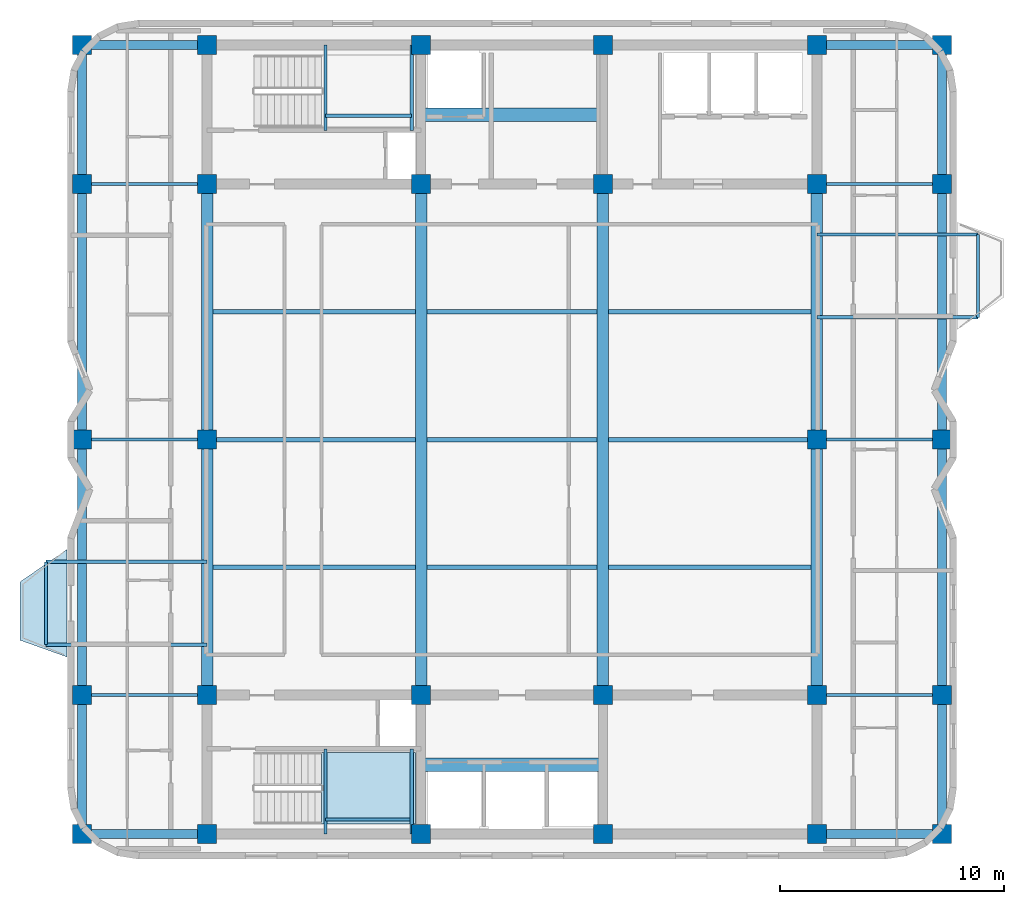
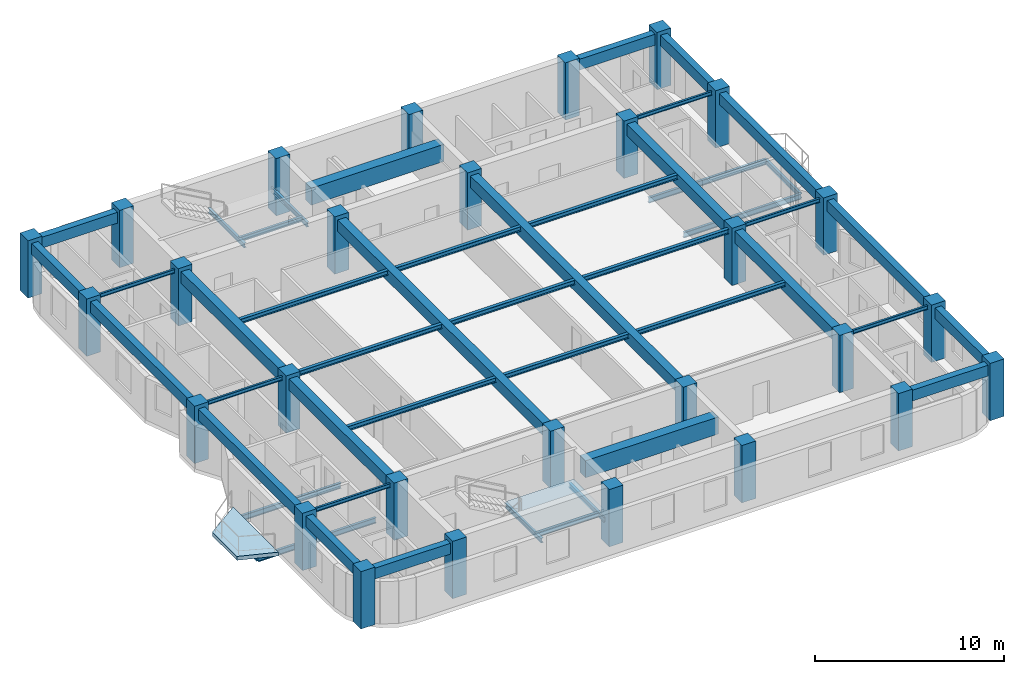
# One storey, part 1 of 8: 47 beams, 28 columns, 2 slabs, 1 element without a shape of its own.
"""IFC4 building model written with IfcOpenShell, lengths in metres."""

from ifc_helpers import new_model, si_unit, direction, frame, origin, origin_2d, place, context, subcontext, project, spatial, polyline, rectangle, i_section, outline, extrude, material, layer, layer_set, material_profile, profile_set, type_object, element, aggregate, save


model = new_model("IFC4")

# Units and contexts
model_context = context("Model", 3, precision=1e-05, world=origin(), true_north=direction((0.0, 1.0)))
body_context = subcontext(model_context, "Body", "Model", "MODEL_VIEW")
ifc_project = project(units=[si_unit("LENGTHUNIT", "METRE"), si_unit("AREAUNIT", "SQUARE_METRE"), si_unit("VOLUMEUNIT", "CUBIC_METRE"), si_unit("PLANEANGLEUNIT", "RADIAN"), si_unit("MASSUNIT", "GRAM", prefix="KILO")], contexts=[model_context])

# Site, building, storey
site_placement = place(None, origin())
site = spatial("IfcSite", under=ifc_project, at=site_placement, CompositionType="ELEMENT")
building_placement = place(site_placement, origin())
building = spatial("IfcBuilding", under=site, at=building_placement, Name="Svetorya Sky Lyceum", CompositionType="ELEMENT")
storey_placement = place(building_placement, frame((0.0, 0.0, 229.5)))
storey = spatial("IfcBuildingStorey", under=building, at=storey_placement, Name="L57", CompositionType="ELEMENT", Elevation=229.5)

# Columns
ifc_material_1 = material(Name="Concrete C50/60", Category="concrete")
ifc_material_profile_1 = material_profile(ifc_material_1, rectangle(XDim=0.85009765625, YDim=0.85009765625, at=origin_2d()), Name="RC COL 850x850")
ifc_profile_set_1 = profile_set([ifc_material_profile_1], Name="Concrete C50/60")
column_type = type_object("IfcColumnType", Name="COL-RC-850", PredefinedType="COLUMN", material=ifc_profile_set_1)
for number, where, z_axis, x_axis, name in (
    (1, (25.60009765625, 10.60009765625, 0.0), (0.0, 0.0, 1.0), (1.0, 0.0, 0.0), "L57 Core Column CS-11"),
    (2, (25.60009765625, 16.800048828125, 0.0), (0.0, 0.0, 1.0), (1.0, 0.0, 0.0), "L57 Core Column CS-12"),
    (3, (35.14990234375, 10.60009765625, 0.0), (0.0, 0.0, 1.0), (1.0, 0.0, 0.0), "L57 Core Column CS-21"),
    (4, (35.14990234375, 16.800048828125, 0.0), (0.0, 0.0, 1.0), (1.0, 0.0, 0.0), "L57 Core Column CS-22"),
    (5, (43.25, 10.60009765625, 0.0), (0.0, 0.0, 1.0), (1.0, 0.0, 0.0), "L57 Core Column CS-31"),
    (6, (43.25, 16.800048828125, 0.0), (0.0, 0.0, 1.0), (1.0, 0.0, 0.0), "L57 Core Column CS-32"),
    (7, (52.800048828125, 10.60009765625, 0.0), (0.0, 0.0, 1.0), (1.0, 0.0, 0.0), "L57 Core Column CS-41"),
    (8, (52.800048828125, 16.800048828125, 0.0), (0.0, 0.0, 1.0), (1.0, 0.0, 0.0), "L57 Core Column CS-42"),
    (9, (25.60009765625, 39.60009765625, 0.0), (0.0, 0.0, 1.0), (1.0, 0.0, 0.0), "L57 Core Column CN-11"),
    (10, (25.60009765625, 45.800048828125, 0.0), (0.0, 0.0, 1.0), (1.0, 0.0, 0.0), "L57 Core Column CN-12"),
    (11, (35.14990234375, 39.60009765625, 0.0), (0.0, 0.0, 1.0), (1.0, 0.0, 0.0), "L57 Core Column CN-21"),
    (12, (35.14990234375, 45.800048828125, 0.0), (0.0, 0.0, 1.0), (1.0, 0.0, 0.0), "L57 Core Column CN-22"),
    (13, (43.25, 39.60009765625, 0.0), (0.0, 0.0, 1.0), (1.0, 0.0, 0.0), "L57 Core Column CN-31"),
    (14, (43.25, 45.800048828125, 0.0), (0.0, 0.0, 1.0), (1.0, 0.0, 0.0), "L57 Core Column CN-32"),
    (15, (52.800048828125, 39.60009765625, 0.0), (0.0, 0.0, 1.0), (1.0, 0.0, 0.0), "L57 Core Column CN-41"),
    (16, (52.800048828125, 45.800048828125, 0.0), (0.0, 0.0, 1.0), (1.0, 0.0, 0.0), "L57 Core Column CN-42"),
    (17, (25.60009765625, 28.199951171875, 0.0), (0.0, 0.0, 1.0), (1.0, 0.0, 0.0), "L57 Core Column CM-W"),
    (18, (52.800048828125, 28.199951171875, 0.0), (0.0, 0.0, 1.0), (1.0, 0.0, 0.0), "L57 Core Column CM-E"),
    (19, (20.010009765625, 10.60009765625, 0.0), (0.0, 0.0, 1.0), (1.0, 0.0, 0.0), "L57 Perimeter Column W1"),
    (20, (58.389892578125, 10.60009765625, 0.0), (0.0, 0.0, 1.0), (1.0, 0.0, 0.0), "L57 Perimeter Column E1"),
    (21, (20.010009765625, 16.800048828125, 0.0), (0.0, 0.0, 1.0), (1.0, 0.0, 0.0), "L57 Perimeter Column W2"),
    (22, (58.389892578125, 16.800048828125, 0.0), (0.0, 0.0, 1.0), (1.0, 0.0, 0.0), "L57 Perimeter Column E2"),
    (23, (20.010009765625, 28.199951171875, 0.0), (0.0, 0.0, 1.0), (1.0, 0.0, 0.0), "L57 Perimeter Column W3"),
    (24, (58.389892578125, 28.199951171875, 0.0), (0.0, 0.0, 1.0), (1.0, 0.0, 0.0), "L57 Perimeter Column E3"),
    (25, (20.010009765625, 39.60009765625, 0.0), (0.0, 0.0, 1.0), (1.0, 0.0, 0.0), "L57 Perimeter Column W4"),
    (26, (58.389892578125, 39.60009765625, 0.0), (0.0, 0.0, 1.0), (1.0, 0.0, 0.0), "L57 Perimeter Column E4"),
    (27, (20.010009765625, 45.800048828125, 0.0), (0.0, 0.0, 1.0), (1.0, 0.0, 0.0), "L57 Perimeter Column W5"),
    (28, (58.389892578125, 45.800048828125, 0.0), (0.0, 0.0, 1.0), (1.0, 0.0, 0.0), "L57 Perimeter Column E5"),
):
    element("IfcColumn", number, at=place(storey_placement, frame(where, z_axis=z_axis, x_axis=x_axis)), inside=storey, type_object=column_type, Name=name, PredefinedType="COLUMN", context=body_context, shape_type="SweptSolid", body=[
        extrude(rectangle(XDim=0.85009765625, YDim=0.85009765625, at=origin_2d()), origin(), (0.0, 0.0, 1.0), 3.699951171875),
    ])

# Beams
ifc_material_2 = material(Name="Concrete C60/75", Category="concrete")
ifc_material_profile_2 = material_profile(ifc_material_2, rectangle(XDim=0.60009765625, YDim=1.10009765625, at=origin_2d()), Name="RC COUPLING 600x1100")
ifc_profile_set_2 = profile_set([ifc_material_profile_2], Name="Concrete C60/75")
beam_type_1 = type_object("IfcBeamType", Name="BM-CPL-1100", PredefinedType="LINTEL", material=ifc_profile_set_2)
for number, where, z_axis, x_axis, name in (
    (29, (35.14990234375, 13.699951171875, 2.89990234375), (1.0, 0.0, 0.0), (0.0, 1.0, 0.0), "L57 SC Core Coupling Beam"),
    (30, (35.14990234375, 42.699951171875, 2.89990234375), (1.0, 0.0, 0.0), (0.0, 1.0, 0.0), "L57 NC Core Coupling Beam"),
):
    element("IfcBeam", number, at=place(storey_placement, frame(where, z_axis=z_axis, x_axis=x_axis)), inside=storey, type_object=beam_type_1, Name=name, PredefinedType="LINTEL", context=body_context, shape_type="SweptSolid", body=[
        extrude(rectangle(XDim=0.60009765625, YDim=1.10009765625, at=origin_2d()), origin(), (0.0, 0.0, 1.0), 8.10009765625),
    ])
ifc_material_profile_3 = material_profile(ifc_material_1, rectangle(XDim=0.5, YDim=0.75, at=origin_2d()), Name="RC BEAM 500x750")
ifc_profile_set_3 = profile_set([ifc_material_profile_3], Name="Concrete C50/60")
beam_type_2 = type_object("IfcBeamType", Name="BM-RC-750", PredefinedType="BEAM", material=ifc_profile_set_3)
beam_1_placement = place(storey_placement, frame((25.60009765625, 16.800048828125, 3.074951171875), z_axis=(0.0, 1.0, 0.0), x_axis=(-1.0, 0.0, 0.0)))
element("IfcBeam", 31, at=beam_1_placement, inside=storey, type_object=beam_type_2, Name="L57 Central Bay Primary Girder CG-1A", PredefinedType="BEAM", context=body_context, shape_type="SweptSolid", body=[
    extrude(rectangle(XDim=0.5, YDim=0.75, at=origin_2d()), origin(), (0.0, 0.0, 1.0), 11.39990234375),
])
beam_2_placement = place(storey_placement, frame((25.60009765625, 28.199951171875, 3.074951171875), z_axis=(0.0, 1.0, 0.0), x_axis=(-1.0, 0.0, 0.0)))
element("IfcBeam", 32, at=beam_2_placement, inside=storey, type_object=beam_type_2, Name="L57 Central Bay Primary Girder CG-1B", PredefinedType="BEAM", context=body_context, shape_type="SweptSolid", body=[
    extrude(rectangle(XDim=0.5, YDim=0.75, at=origin_2d()), origin(), (0.0, 0.0, 1.0), 11.400146484375),
])
for number, where, z_axis, x_axis, name in (
    (33, (35.14990234375, 16.800048828125, 3.074951171875), (0.0, 1.0, 0.0), (-1.0, 0.0, 0.0), "L57 Central Bay Primary Girder CG-2"),
    (34, (43.25, 16.800048828125, 3.074951171875), (0.0, 1.0, 0.0), (-1.0, 0.0, 0.0), "L57 Central Bay Primary Girder CG-3"),
):
    element("IfcBeam", number, at=place(storey_placement, frame(where, z_axis=z_axis, x_axis=x_axis)), inside=storey, type_object=beam_type_2, Name=name, PredefinedType="BEAM", context=body_context, shape_type="SweptSolid", body=[
        extrude(rectangle(XDim=0.5, YDim=0.75, at=origin_2d()), origin(), (0.0, 0.0, 1.0), 22.800048828125),
    ])
beam_3_placement = place(storey_placement, frame((52.800048828125, 16.800048828125, 3.074951171875), z_axis=(0.0, 1.0, 0.0), x_axis=(-1.0, 0.0, 0.0)))
element("IfcBeam", 35, at=beam_3_placement, inside=storey, type_object=beam_type_2, Name="L57 Central Bay Primary Girder CG-4A", PredefinedType="BEAM", context=body_context, shape_type="SweptSolid", body=[
    extrude(rectangle(XDim=0.5, YDim=0.75, at=origin_2d()), origin(), (0.0, 0.0, 1.0), 11.39990234375),
])
beam_4_placement = place(storey_placement, frame((52.800048828125, 28.199951171875, 3.074951171875), z_axis=(0.0, 1.0, 0.0), x_axis=(-1.0, 0.0, 0.0)))
element("IfcBeam", 36, at=beam_4_placement, inside=storey, type_object=beam_type_2, Name="L57 Central Bay Primary Girder CG-4B", PredefinedType="BEAM", context=body_context, shape_type="SweptSolid", body=[
    extrude(rectangle(XDim=0.5, YDim=0.75, at=origin_2d()), origin(), (0.0, 0.0, 1.0), 11.400146484375),
])
ifc_material_profile_4 = material_profile(ifc_material_1, rectangle(XDim=0.39990234375, YDim=0.699951171875, at=origin_2d()), Name="RC SPANDREL 400x700")
ifc_profile_set_4 = profile_set([ifc_material_profile_4], Name="Concrete C50/60")
beam_type_3 = type_object("IfcBeamType", Name="BM-SPN-700", PredefinedType="SPANDREL", material=ifc_profile_set_4)
for number, where, z_axis, x_axis, name in (
    (37, (20.010009765625, 10.60009765625, 3.10009765625), (1.0, 0.0, 0.0), (0.0, 1.0, 0.0), "L57 Tie Spandrel SW"),
    (38, (20.010009765625, 45.800048828125, 3.10009765625), (1.0, 0.0, 0.0), (0.0, 1.0, 0.0), "L57 Tie Spandrel NW"),
):
    element("IfcBeam", number, at=place(storey_placement, frame(where, z_axis=z_axis, x_axis=x_axis)), inside=storey, type_object=beam_type_3, Name=name, PredefinedType="SPANDREL", context=body_context, shape_type="SweptSolid", body=[
        extrude(rectangle(XDim=0.39990234375, YDim=0.699951171875, at=origin_2d()), origin(), (0.0, 0.0, 1.0), 5.590087890625),
    ])
for number, where, z_axis, x_axis, name in (
    (39, (52.800048828125, 10.60009765625, 3.10009765625), (1.0, 0.0, 0.0), (0.0, 1.0, 0.0), "L57 Tie Spandrel SE"),
    (40, (52.800048828125, 45.800048828125, 3.10009765625), (1.0, 0.0, 0.0), (0.0, 1.0, 0.0), "L57 Tie Spandrel NE"),
):
    element("IfcBeam", number, at=place(storey_placement, frame(where, z_axis=z_axis, x_axis=x_axis)), inside=storey, type_object=beam_type_3, Name=name, PredefinedType="SPANDREL", context=body_context, shape_type="SweptSolid", body=[
        extrude(rectangle(XDim=0.39990234375, YDim=0.699951171875, at=origin_2d()), origin(), (0.0, 0.0, 1.0), 5.58984375),
    ])
beam_5_placement = place(storey_placement, frame((20.010009765625, 10.60009765625, 3.10009765625), z_axis=(0.0, 1.0, 0.0), x_axis=(-1.0, 0.0, 0.0)))
element("IfcBeam", 41, at=beam_5_placement, inside=storey, type_object=beam_type_3, Name="L57 West Spandrel 1", PredefinedType="SPANDREL", context=body_context, shape_type="SweptSolid", body=[
    extrude(rectangle(XDim=0.39990234375, YDim=0.699951171875, at=origin_2d()), origin(), (0.0, 0.0, 1.0), 6.199951171875),
])
beam_6_placement = place(storey_placement, frame((20.010009765625, 16.800048828125, 3.10009765625), z_axis=(0.0, 1.0, 0.0), x_axis=(-1.0, 0.0, 0.0)))
element("IfcBeam", 42, at=beam_6_placement, inside=storey, type_object=beam_type_3, Name="L57 West Spandrel 2", PredefinedType="SPANDREL", context=body_context, shape_type="SweptSolid", body=[
    extrude(rectangle(XDim=0.39990234375, YDim=0.699951171875, at=origin_2d()), origin(), (0.0, 0.0, 1.0), 11.39990234375),
])
beam_7_placement = place(storey_placement, frame((20.010009765625, 28.199951171875, 3.10009765625), z_axis=(0.0, 1.0, 0.0), x_axis=(-1.0, 0.0, 0.0)))
element("IfcBeam", 43, at=beam_7_placement, inside=storey, type_object=beam_type_3, Name="L57 West Spandrel 3", PredefinedType="SPANDREL", context=body_context, shape_type="SweptSolid", body=[
    extrude(rectangle(XDim=0.39990234375, YDim=0.699951171875, at=origin_2d()), origin(), (0.0, 0.0, 1.0), 11.400146484375),
])
for number, where, z_axis, x_axis, name in (
    (44, (20.010009765625, 39.60009765625, 3.10009765625), (0.0, 1.0, 0.0), (-1.0, 0.0, 0.0), "L57 West Spandrel 4"),
    (45, (58.389892578125, 10.60009765625, 3.10009765625), (0.0, 1.0, 0.0), (-1.0, 0.0, 0.0), "L57 East Spandrel 1"),
):
    element("IfcBeam", number, at=place(storey_placement, frame(where, z_axis=z_axis, x_axis=x_axis)), inside=storey, type_object=beam_type_3, Name=name, PredefinedType="SPANDREL", context=body_context, shape_type="SweptSolid", body=[
        extrude(rectangle(XDim=0.39990234375, YDim=0.699951171875, at=origin_2d()), origin(), (0.0, 0.0, 1.0), 6.199951171875),
    ])
beam_8_placement = place(storey_placement, frame((58.389892578125, 16.800048828125, 3.10009765625), z_axis=(0.0, 1.0, 0.0), x_axis=(-1.0, 0.0, 0.0)))
element("IfcBeam", 46, at=beam_8_placement, inside=storey, type_object=beam_type_3, Name="L57 East Spandrel 2", PredefinedType="SPANDREL", context=body_context, shape_type="SweptSolid", body=[
    extrude(rectangle(XDim=0.39990234375, YDim=0.699951171875, at=origin_2d()), origin(), (0.0, 0.0, 1.0), 11.39990234375),
])
beam_9_placement = place(storey_placement, frame((58.389892578125, 28.199951171875, 3.10009765625), z_axis=(0.0, 1.0, 0.0), x_axis=(-1.0, 0.0, 0.0)))
element("IfcBeam", 47, at=beam_9_placement, inside=storey, type_object=beam_type_3, Name="L57 East Spandrel 3", PredefinedType="SPANDREL", context=body_context, shape_type="SweptSolid", body=[
    extrude(rectangle(XDim=0.39990234375, YDim=0.699951171875, at=origin_2d()), origin(), (0.0, 0.0, 1.0), 11.400146484375),
])
beam_10_placement = place(storey_placement, frame((58.389892578125, 39.60009765625, 3.10009765625), z_axis=(0.0, 1.0, 0.0), x_axis=(-1.0, 0.0, 0.0)))
element("IfcBeam", 48, at=beam_10_placement, inside=storey, type_object=beam_type_3, Name="L57 East Spandrel 4", PredefinedType="SPANDREL", context=body_context, shape_type="SweptSolid", body=[
    extrude(rectangle(XDim=0.39990234375, YDim=0.699951171875, at=origin_2d()), origin(), (0.0, 0.0, 1.0), 6.199951171875),
])
ifc_material_3 = material(Name="Steel S355", Category="steel")
ifc_material_profile_5 = material_profile(ifc_material_3, i_section(OverallWidth=0.1240234375, OverallDepth=0.248046875, WebThickness=0.006103515625, FlangeThickness=0.009521484375, at=origin_2d()), Name="GOST 25B2")
ifc_profile_set_5 = profile_set([ifc_material_profile_5], Name="Steel S355")
beam_type_4 = type_object("IfcBeamType", Name="BM-STL-25B2", PredefinedType="JOIST", material=ifc_profile_set_5)
beam_11_placement = place(storey_placement, frame((20.010009765625, 16.800048828125, 3.325927734375), z_axis=(1.0, 0.0, 0.0), x_axis=(0.0, 1.0, 0.0)))
element("IfcBeam", 49, at=beam_11_placement, inside=storey, type_object=beam_type_4, Name="L57 West Wing Floor Joist W2", PredefinedType="JOIST", context=body_context, shape_type="SweptSolid", body=[
    extrude(i_section(OverallWidth=0.1240234375, OverallDepth=0.248046875, WebThickness=0.006103515625, FlangeThickness=0.009521484375, at=origin_2d()), origin(), (0.0, 0.0, 1.0), 5.590087890625),
])
beam_12_placement = place(storey_placement, frame((52.800048828125, 16.800048828125, 3.325927734375), z_axis=(1.0, 0.0, 0.0), x_axis=(0.0, 1.0, 0.0)))
element("IfcBeam", 50, at=beam_12_placement, inside=storey, type_object=beam_type_4, Name="L57 East Wing Floor Joist E2", PredefinedType="JOIST", context=body_context, shape_type="SweptSolid", body=[
    extrude(i_section(OverallWidth=0.1240234375, OverallDepth=0.248046875, WebThickness=0.006103515625, FlangeThickness=0.009521484375, at=origin_2d()), origin(), (0.0, 0.0, 1.0), 5.58984375),
])
beam_13_placement = place(storey_placement, frame((20.010009765625, 28.199951171875, 3.325927734375), z_axis=(1.0, 0.0, 0.0), x_axis=(0.0, 1.0, 0.0)))
element("IfcBeam", 51, at=beam_13_placement, inside=storey, type_object=beam_type_4, Name="L57 West Wing Floor Joist W3", PredefinedType="JOIST", context=body_context, shape_type="SweptSolid", body=[
    extrude(i_section(OverallWidth=0.1240234375, OverallDepth=0.248046875, WebThickness=0.006103515625, FlangeThickness=0.009521484375, at=origin_2d()), origin(), (0.0, 0.0, 1.0), 5.590087890625),
])
beam_14_placement = place(storey_placement, frame((52.800048828125, 28.199951171875, 3.325927734375), z_axis=(1.0, 0.0, 0.0), x_axis=(0.0, 1.0, 0.0)))
element("IfcBeam", 52, at=beam_14_placement, inside=storey, type_object=beam_type_4, Name="L57 East Wing Floor Joist E3", PredefinedType="JOIST", context=body_context, shape_type="SweptSolid", body=[
    extrude(i_section(OverallWidth=0.1240234375, OverallDepth=0.248046875, WebThickness=0.006103515625, FlangeThickness=0.009521484375, at=origin_2d()), origin(), (0.0, 0.0, 1.0), 5.58984375),
])
beam_15_placement = place(storey_placement, frame((20.010009765625, 39.60009765625, 3.325927734375), z_axis=(1.0, 0.0, 0.0), x_axis=(0.0, 1.0, 0.0)))
element("IfcBeam", 53, at=beam_15_placement, inside=storey, type_object=beam_type_4, Name="L57 West Wing Floor Joist W4", PredefinedType="JOIST", context=body_context, shape_type="SweptSolid", body=[
    extrude(i_section(OverallWidth=0.1240234375, OverallDepth=0.248046875, WebThickness=0.006103515625, FlangeThickness=0.009521484375, at=origin_2d()), origin(), (0.0, 0.0, 1.0), 5.590087890625),
])
beam_16_placement = place(storey_placement, frame((52.800048828125, 39.60009765625, 3.325927734375), z_axis=(1.0, 0.0, 0.0), x_axis=(0.0, 1.0, 0.0)))
element("IfcBeam", 54, at=beam_16_placement, inside=storey, type_object=beam_type_4, Name="L57 East Wing Floor Joist E4", PredefinedType="JOIST", context=body_context, shape_type="SweptSolid", body=[
    extrude(i_section(OverallWidth=0.1240234375, OverallDepth=0.248046875, WebThickness=0.006103515625, FlangeThickness=0.009521484375, at=origin_2d()), origin(), (0.0, 0.0, 1.0), 5.58984375),
])
ifc_material_profile_6 = material_profile(ifc_material_3, i_section(OverallWidth=0.14990234375, OverallDepth=0.299072265625, WebThickness=0.006591796875, FlangeThickness=0.010498046875, at=origin_2d()), Name="GOST 30B2")
ifc_profile_set_6 = profile_set([ifc_material_profile_6], Name="Steel S355")
beam_type_5 = type_object("IfcBeamType", Name="BM-STL-30B2", PredefinedType="JOIST", material=ifc_profile_set_6)
beam_17_placement = place(storey_placement, frame((18.409912109375, 19.050048828125, -0.424560546875), z_axis=(0.0, 1.0, 0.0), x_axis=(-1.0, 0.0, 0.0)))
element("IfcBeam", 55, at=beam_17_placement, inside=storey, type_object=beam_type_5, Name="L57 Balcony Edge Tie BAL-W1", PredefinedType="JOIST", context=body_context, shape_type="SweptSolid", body=[
    extrude(i_section(OverallWidth=0.14990234375, OverallDepth=0.299072265625, WebThickness=0.006591796875, FlangeThickness=0.010498046875, at=origin_2d()), origin(), (0.0, 0.0, 1.0), 3.699951171875),
])
beam_18_placement = place(storey_placement, frame((59.989990234375, 33.64990234375, -0.424560546875), z_axis=(0.0, 1.0, 0.0), x_axis=(-1.0, 0.0, 0.0)))
element("IfcBeam", 56, at=beam_18_placement, inside=storey, type_object=beam_type_5, Name="L57 Balcony Edge Tie BAL-E1", PredefinedType="JOIST", context=body_context, shape_type="SweptSolid", body=[
    extrude(i_section(OverallWidth=0.14990234375, OverallDepth=0.299072265625, WebThickness=0.006591796875, FlangeThickness=0.010498046875, at=origin_2d()), origin(), (0.0, 0.0, 1.0), 3.7001953125),
])
for number, where, z_axis, x_axis, name in (
    (57, (30.8798828125, 10.60009765625, 1.50048828125), (0.0, 1.0, 0.0), (-1.0, 0.0, 0.0), "L57 Stair ST-S Half-Landing Support Beam 65.1"),
    (58, (34.719970703125, 10.60009765625, 1.50048828125), (0.0, 1.0, 0.0), (-1.0, 0.0, 0.0), "L57 Stair ST-S Half-Landing Support Beam 65.2"),
):
    element("IfcBeam", number, at=place(storey_placement, frame(where, z_axis=z_axis, x_axis=x_axis)), inside=storey, type_object=beam_type_5, Name=name, PredefinedType="JOIST", context=body_context, shape_type="SweptSolid", body=[
        extrude(i_section(OverallWidth=0.14990234375, OverallDepth=0.299072265625, WebThickness=0.006591796875, FlangeThickness=0.010498046875, at=origin_2d()), origin(), (0.0, 0.0, 1.0), 3.7998046875),
    ])
beam_19_placement = place(storey_placement, frame((30.8798828125, 11.25, 1.50048828125), z_axis=(1.0, 0.0, 0.0), x_axis=(0.0, 1.0, 0.0)))
element("IfcBeam", 59, at=beam_19_placement, inside=storey, type_object=beam_type_5, Name="L57 Stair ST-S Half-Landing Cross Tie 65", PredefinedType="JOIST", context=body_context, shape_type="SweptSolid", body=[
    extrude(i_section(OverallWidth=0.14990234375, OverallDepth=0.299072265625, WebThickness=0.006591796875, FlangeThickness=0.010498046875, at=origin_2d()), origin(), (0.0, 0.0, 1.0), 3.840087890625),
])
for number, where, z_axis, x_axis, name in (
    (60, (30.8798828125, 42.0, 1.50048828125), (0.0, 1.0, 0.0), (-1.0, 0.0, 0.0), "L57 Stair ST-N Half-Landing Support Beam 65.1"),
    (61, (34.719970703125, 42.0, 1.50048828125), (0.0, 1.0, 0.0), (-1.0, 0.0, 0.0), "L57 Stair ST-N Half-Landing Support Beam 65.2"),
):
    element("IfcBeam", number, at=place(storey_placement, frame(where, z_axis=z_axis, x_axis=x_axis)), inside=storey, type_object=beam_type_5, Name=name, PredefinedType="JOIST", context=body_context, shape_type="SweptSolid", body=[
        extrude(i_section(OverallWidth=0.14990234375, OverallDepth=0.299072265625, WebThickness=0.006591796875, FlangeThickness=0.010498046875, at=origin_2d()), origin(), (0.0, 0.0, 1.0), 3.800048828125),
    ])
beam_20_placement = place(storey_placement, frame((30.8798828125, 42.64990234375, 1.50048828125), z_axis=(1.0, 0.0, 0.0), x_axis=(0.0, 1.0, 0.0)))
element("IfcBeam", 62, at=beam_20_placement, inside=storey, type_object=beam_type_5, Name="L57 Stair ST-N Half-Landing Cross Tie 65", PredefinedType="JOIST", context=body_context, shape_type="SweptSolid", body=[
    extrude(i_section(OverallWidth=0.14990234375, OverallDepth=0.299072265625, WebThickness=0.006591796875, FlangeThickness=0.010498046875, at=origin_2d()), origin(), (0.0, 0.0, 1.0), 3.840087890625),
])
ifc_material_profile_7 = material_profile(ifc_material_3, i_section(OverallWidth=0.199951171875, OverallDepth=0.298095703125, WebThickness=0.008544921875, FlangeThickness=0.012939453125, at=origin_2d()), Name="GOST 30Sh2")
ifc_profile_set_7 = profile_set([ifc_material_profile_7], Name="Steel S355")
beam_type_6 = type_object("IfcBeamType", Name="BM-STL-30SH2", PredefinedType="BEAM", material=ifc_profile_set_7)
beam_21_placement = place(storey_placement, frame((25.85009765625, 22.5, 3.301025390625), z_axis=(1.0, 0.0, 0.0), x_axis=(0.0, 1.0, 0.0)))
element("IfcBeam", 63, at=beam_21_placement, inside=storey, type_object=beam_type_6, Name="L57 Central Floor Joist CJ-1.1", PredefinedType="BEAM", context=body_context, shape_type="SweptSolid", body=[
    extrude(i_section(OverallWidth=0.199951171875, OverallDepth=0.298095703125, WebThickness=0.008544921875, FlangeThickness=0.012939453125, at=origin_2d()), origin(), (0.0, 0.0, 1.0), 9.0498046875),
])
beam_22_placement = place(storey_placement, frame((35.39990234375, 22.5, 3.301025390625), z_axis=(1.0, 0.0, 0.0), x_axis=(0.0, 1.0, 0.0)))
element("IfcBeam", 64, at=beam_22_placement, inside=storey, type_object=beam_type_6, Name="L57 Central Floor Joist CJ-1.2", PredefinedType="BEAM", context=body_context, shape_type="SweptSolid", body=[
    extrude(i_section(OverallWidth=0.199951171875, OverallDepth=0.298095703125, WebThickness=0.008544921875, FlangeThickness=0.012939453125, at=origin_2d()), origin(), (0.0, 0.0, 1.0), 7.60009765625),
])
beam_23_placement = place(storey_placement, frame((43.5, 22.5, 3.301025390625), z_axis=(1.0, 0.0, 0.0), x_axis=(0.0, 1.0, 0.0)))
element("IfcBeam", 65, at=beam_23_placement, inside=storey, type_object=beam_type_6, Name="L57 Central Floor Joist CJ-1.3", PredefinedType="BEAM", context=body_context, shape_type="SweptSolid", body=[
    extrude(i_section(OverallWidth=0.199951171875, OverallDepth=0.298095703125, WebThickness=0.008544921875, FlangeThickness=0.012939453125, at=origin_2d()), origin(), (0.0, 0.0, 1.0), 9.050048828125),
])
beam_24_placement = place(storey_placement, frame((25.85009765625, 28.199951171875, 3.301025390625), z_axis=(1.0, 0.0, 0.0), x_axis=(0.0, 1.0, 0.0)))
element("IfcBeam", 66, at=beam_24_placement, inside=storey, type_object=beam_type_6, Name="L57 Central Floor Joist CJ-2.1", PredefinedType="BEAM", context=body_context, shape_type="SweptSolid", body=[
    extrude(i_section(OverallWidth=0.199951171875, OverallDepth=0.298095703125, WebThickness=0.008544921875, FlangeThickness=0.012939453125, at=origin_2d()), origin(), (0.0, 0.0, 1.0), 9.0498046875),
])
beam_25_placement = place(storey_placement, frame((35.39990234375, 28.199951171875, 3.301025390625), z_axis=(1.0, 0.0, 0.0), x_axis=(0.0, 1.0, 0.0)))
element("IfcBeam", 67, at=beam_25_placement, inside=storey, type_object=beam_type_6, Name="L57 Central Floor Joist CJ-2.2", PredefinedType="BEAM", context=body_context, shape_type="SweptSolid", body=[
    extrude(i_section(OverallWidth=0.199951171875, OverallDepth=0.298095703125, WebThickness=0.008544921875, FlangeThickness=0.012939453125, at=origin_2d()), origin(), (0.0, 0.0, 1.0), 7.60009765625),
])
beam_26_placement = place(storey_placement, frame((43.5, 28.199951171875, 3.301025390625), z_axis=(1.0, 0.0, 0.0), x_axis=(0.0, 1.0, 0.0)))
element("IfcBeam", 68, at=beam_26_placement, inside=storey, type_object=beam_type_6, Name="L57 Central Floor Joist CJ-2.3", PredefinedType="BEAM", context=body_context, shape_type="SweptSolid", body=[
    extrude(i_section(OverallWidth=0.199951171875, OverallDepth=0.298095703125, WebThickness=0.008544921875, FlangeThickness=0.012939453125, at=origin_2d()), origin(), (0.0, 0.0, 1.0), 9.050048828125),
])
beam_27_placement = place(storey_placement, frame((25.85009765625, 33.89990234375, 3.301025390625), z_axis=(1.0, 0.0, 0.0), x_axis=(0.0, 1.0, 0.0)))
element("IfcBeam", 69, at=beam_27_placement, inside=storey, type_object=beam_type_6, Name="L57 Central Floor Joist CJ-3.1", PredefinedType="BEAM", context=body_context, shape_type="SweptSolid", body=[
    extrude(i_section(OverallWidth=0.199951171875, OverallDepth=0.298095703125, WebThickness=0.008544921875, FlangeThickness=0.012939453125, at=origin_2d()), origin(), (0.0, 0.0, 1.0), 9.0498046875),
])
beam_28_placement = place(storey_placement, frame((35.39990234375, 33.89990234375, 3.301025390625), z_axis=(1.0, 0.0, 0.0), x_axis=(0.0, 1.0, 0.0)))
element("IfcBeam", 70, at=beam_28_placement, inside=storey, type_object=beam_type_6, Name="L57 Central Floor Joist CJ-3.2", PredefinedType="BEAM", context=body_context, shape_type="SweptSolid", body=[
    extrude(i_section(OverallWidth=0.199951171875, OverallDepth=0.298095703125, WebThickness=0.008544921875, FlangeThickness=0.012939453125, at=origin_2d()), origin(), (0.0, 0.0, 1.0), 7.60009765625),
])
beam_29_placement = place(storey_placement, frame((43.5, 33.89990234375, 3.301025390625), z_axis=(1.0, 0.0, 0.0), x_axis=(0.0, 1.0, 0.0)))
element("IfcBeam", 71, at=beam_29_placement, inside=storey, type_object=beam_type_6, Name="L57 Central Floor Joist CJ-3.3", PredefinedType="BEAM", context=body_context, shape_type="SweptSolid", body=[
    extrude(i_section(OverallWidth=0.199951171875, OverallDepth=0.298095703125, WebThickness=0.008544921875, FlangeThickness=0.012939453125, at=origin_2d()), origin(), (0.0, 0.0, 1.0), 9.050048828125),
])
ifc_material_profile_8 = material_profile(ifc_material_3, i_section(OverallWidth=0.155029296875, OverallDepth=0.34912109375, WebThickness=0.007080078125, FlangeThickness=0.011474609375, at=origin_2d()), Name="GOST 35B2")
ifc_profile_set_8 = profile_set([ifc_material_profile_8], Name="Steel S355")
beam_type_7 = type_object("IfcBeamType", Name="BM-STL-35B2", PredefinedType="JOIST", material=ifc_profile_set_8)
for number, where, z_axis, x_axis, name in (
    (72, (25.60009765625, 19.050048828125, -0.424560546875), (-1.0, 0.0, 0.0), (0.0, -1.0, 0.0), "L57 Balcony Cantilever Beam BAL-W1-1"),
    (73, (25.60009765625, 22.75, -0.424560546875), (-1.0, 0.0, 0.0), (0.0, -1.0, 0.0), "L57 Balcony Cantilever Beam BAL-W1-2"),
):
    element("IfcBeam", number, at=place(storey_placement, frame(where, z_axis=z_axis, x_axis=x_axis)), inside=storey, type_object=beam_type_7, Name=name, PredefinedType="JOIST", context=body_context, shape_type="SweptSolid", body=[
        extrude(i_section(OverallWidth=0.155029296875, OverallDepth=0.34912109375, WebThickness=0.007080078125, FlangeThickness=0.011474609375, at=origin_2d()), origin(), (0.0, 0.0, 1.0), 7.190185546875),
    ])
for number, where, z_axis, x_axis, name in (
    (74, (52.800048828125, 33.64990234375, -0.424560546875), (1.0, 0.0, 0.0), (0.0, 1.0, 0.0), "L57 Balcony Cantilever Beam BAL-E1-1"),
    (75, (52.800048828125, 37.35009765625, -0.424560546875), (1.0, 0.0, 0.0), (0.0, 1.0, 0.0), "L57 Balcony Cantilever Beam BAL-E1-2"),
):
    element("IfcBeam", number, at=place(storey_placement, frame(where, z_axis=z_axis, x_axis=x_axis)), inside=storey, type_object=beam_type_7, Name=name, PredefinedType="JOIST", context=body_context, shape_type="SweptSolid", body=[
        extrude(i_section(OverallWidth=0.155029296875, OverallDepth=0.34912109375, WebThickness=0.007080078125, FlangeThickness=0.011474609375, at=origin_2d()), origin(), (0.0, 0.0, 1.0), 7.18994140625),
    ])

# Slab
ifc_material_4 = material(Name="Concrete C40/50", Category="concrete")
ifc_layer_1 = layer(ifc_material_4, 0.25)
ifc_layer_set_1 = layer_set([ifc_layer_1], Name="Concrete C40/50")
slab_type_1 = type_object("IfcSlabType", Name="SL-BAL-250", PredefinedType="FLOOR", material=ifc_layer_set_1)
slab_1_placement = place(storey_placement, frame((0.0, 0.0, -0.25)))
element("IfcSlab", 76, at=slab_1_placement, inside=storey, type_object=slab_type_1, Name="L57 Chamfered Loggia Balcony BAL-W1", PredefinedType="FLOOR", context=body_context, shape_type="SweptSolid", body=[
    extrude(outline(polyline([(19.35009765625, 18.5), (19.35009765625, 23.300048828125), (17.25, 21.85009765625), (17.25, 19.25), (19.35009765625, 18.5)])), origin(), (0.0, 0.0, 1.0), 0.25),
])

# Stair, slab
stair_type = type_object("IfcStairType", Name="STR-ST-S", PredefinedType="HALF_TURN_STAIR", material=ifc_material_4)
stair_placement = place(storey_placement, origin())
stair = element("IfcStair", 77, at=stair_placement, inside=storey, type_object=stair_type, Name="L57 South Core Smoke-Free Exit Stair N2", PredefinedType="HALF_TURN_STAIR")
ifc_layer_2 = layer(ifc_material_4, 0.199951171875)
ifc_layer_set_2 = layer_set([ifc_layer_2], Name="Concrete C40/50")
slab_type_2 = type_object("IfcSlabType", Name="SL-STR-LAND-200", PredefinedType="LANDING", material=ifc_layer_set_2)
slab_2_placement = place(storey_placement, frame((0.0, 0.0, 1.64990234375)))
slab_2 = element("IfcSlab", 78, at=slab_2_placement, type_object=slab_type_2, Name="ST-S landing 1", PredefinedType="LANDING", context=body_context, shape_type="SweptSolid", body=[
    extrude(outline(polyline([(30.699951171875, 11.050048828125), (34.89990234375, 11.050048828125), (34.89990234375, 14.25), (30.699951171875, 14.25), (30.699951171875, 11.050048828125)])), origin(), (0.0, 0.0, 1.0), 0.2001953125),
])
aggregate(stair, [slab_2])

save(model, "model.ifc")
